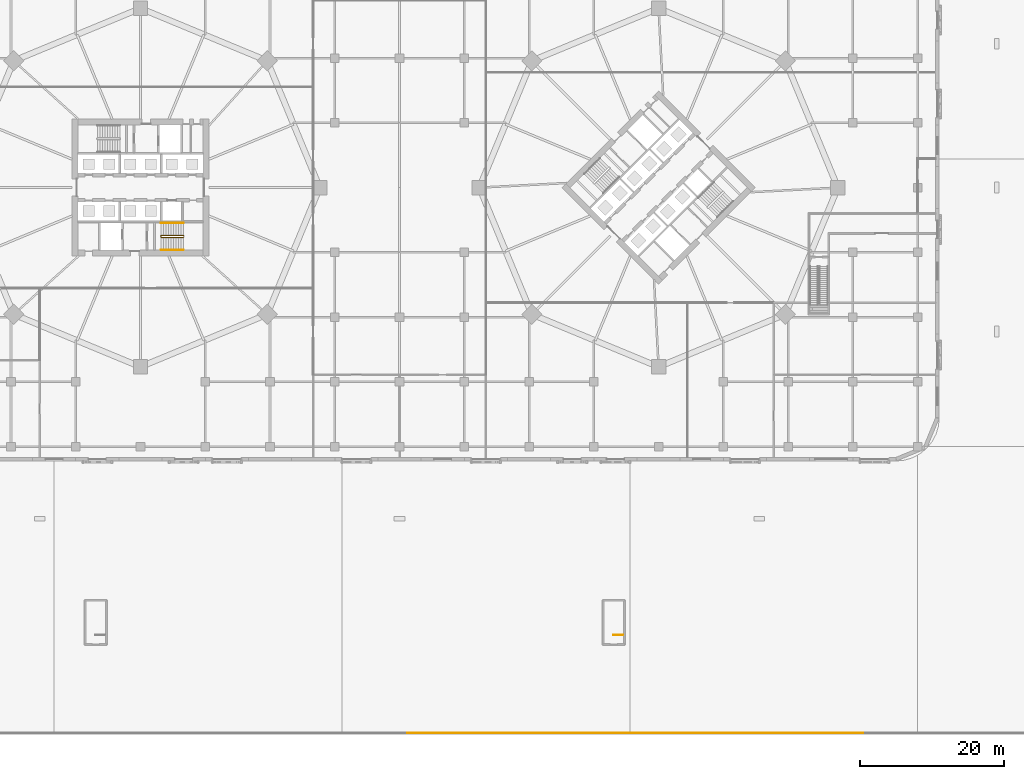
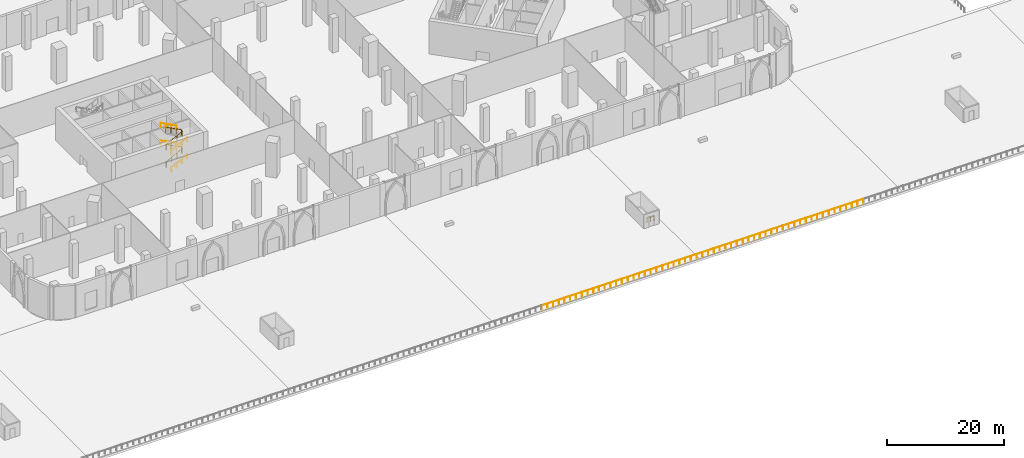
# One storey, part 39 of 48: 14 railings.
"""IFC4 building model written with IfcOpenShell, lengths in metres."""

from ifc_helpers import new_model, si_unit, direction, frame, origin, origin_2d, place, context, subcontext, project, spatial, circle, extrude, material, type_object, element, save


model = new_model("IFC4")

# Units and contexts
model_context = context("Model", 3, precision=1e-05, world=origin(), true_north=direction((0.0, 1.0)))
body_context = subcontext(model_context, "Body", "Model", "MODEL_VIEW")
ifc_project = project(units=[si_unit("LENGTHUNIT", "METRE"), si_unit("AREAUNIT", "SQUARE_METRE"), si_unit("VOLUMEUNIT", "CUBIC_METRE"), si_unit("PLANEANGLEUNIT", "RADIAN"), si_unit("MASSUNIT", "GRAM", prefix="KILO")], contexts=[model_context])

# Site, building, storey
site_placement = place(None, origin())
site = spatial("IfcSite", under=ifc_project, at=site_placement, CompositionType="ELEMENT")
building_placement = place(site_placement, origin())
building = spatial("IfcBuilding", under=site, at=building_placement, Name="Ogive Gate Towers", CompositionType="ELEMENT")
storey_placement = place(building_placement, origin())
storey = spatial("IfcBuildingStorey", under=building, at=storey_placement, Name="L00", CompositionType="ELEMENT", Elevation=0.0)

# Railings
ifc_material_1 = material(Name="Painted steel", Category="steel")
railing_type_1 = type_object("IfcRailingType", Name="Car park stair guard 1100", PredefinedType="GUARDRAIL", material=ifc_material_1)
railing_1_placement = place(storey_placement, frame((31.050048828125, -62.14990234375, 0.0)))
element("IfcRailing", 1, at=railing_1_placement, inside=storey, type_object=railing_type_1, Name="L00 CS7 top well guard 1", PredefinedType="GUARDRAIL", context=body_context, shape_type="SweptSolid", body=[
    extrude(circle(Radius=0.02392578125, at=origin_2d()), frame((0.0, 0.0, 1.076171875), z_axis=(-1.0, 0.0, 0.0), x_axis=(0.0, -1.0, 0.0)), (0.0, 0.0, 1.0), 1.35009765625),
    extrude(circle(Radius=0.02099609375, at=origin_2d()), origin(), (0.0, 0.0, 1.0), 1.052001953125),
    extrude(circle(Radius=0.02099609375, at=origin_2d()), frame((-0.675048828125, 0.0, 0.0)), (0.0, 0.0, 1.0), 1.052001953125),
    extrude(circle(Radius=0.02099609375, at=origin_2d()), frame((-1.35009765625, 0.0, 0.0)), (0.0, 0.0, 1.0), 1.052001953125),
])
ifc_material_2 = material(Name="Stainless steel", Category="steel")
railing_type_2 = type_object("IfcRailingType", Name="Guard 1100", PredefinedType="GUARDRAIL", material=ifc_material_2)
for number, where, name in (
    (2, (1.05908203125, -75.800048828125, 0.0), "Garden deck guard"),
    (3, (8.988525390625, -75.800048828125, 0.0), "Garden deck guard"),
    (4, (16.91796875, -75.800048828125, 0.0), "Garden deck guard"),
    (5, (24.847412109375, -75.800048828125, 0.0), "Garden deck guard"),
    (6, (32.776611328125, -75.800048828125, 0.0), "Garden deck guard"),
    (7, (40.7060546875, -75.800048828125, 0.0), "Garden deck guard"),
    (8, (48.635498046875, -75.800048828125, 0.0), "Garden deck guard"),
    (9, (56.564697265625, -75.800048828125, 0.0), "Garden deck guard"),
):
    element("IfcRailing", number, at=place(storey_placement, frame(where)), inside=storey, type_object=railing_type_2, Name=name, PredefinedType="GUARDRAIL", context=body_context, shape_type="SweptSolid", body=[
        extrude(circle(Radius=0.02392578125, at=origin_2d()), frame((0.0, 0.0, 1.076171875), z_axis=(1.0, 0.0, 0.0), x_axis=(0.0, 1.0, 0.0)), (0.0, 0.0, 1.0), 7.87939453125),
        extrude(circle(Radius=0.02099609375, at=origin_2d()), origin(), (0.0, 0.0, 1.0), 1.052001953125),
        extrude(circle(Radius=0.02099609375, at=origin_2d()), frame((1.125732421875, 0.0, 0.0)), (0.0, 0.0, 1.0), 1.052001953125),
        extrude(circle(Radius=0.02099609375, at=origin_2d()), frame((2.251220703125, 0.0, 0.0)), (0.0, 0.0, 1.0), 1.052001953125),
        extrude(circle(Radius=0.02099609375, at=origin_2d()), frame((3.376953125, 0.0, 0.0)), (0.0, 0.0, 1.0), 1.052001953125),
        extrude(circle(Radius=0.02099609375, at=origin_2d()), frame((4.50244140625, 0.0, 0.0)), (0.0, 0.0, 1.0), 1.052001953125),
        extrude(circle(Radius=0.02099609375, at=origin_2d()), frame((5.628173828125, 0.0, 0.0)), (0.0, 0.0, 1.0), 1.052001953125),
        extrude(circle(Radius=0.02099609375, at=origin_2d()), frame((6.753662109375, 0.0, 0.0)), (0.0, 0.0, 1.0), 1.052001953125),
        extrude(circle(Radius=0.02099609375, at=origin_2d()), frame((7.87939453125, 0.0, 0.0)), (0.0, 0.0, 1.0), 1.052001953125),
    ])
railing_type_3 = type_object("IfcRailingType", Name="Stair guard 1100", PredefinedType="GUARDRAIL", material=ifc_material_2)
railing_2_placement = place(storey_placement, frame((-33.18505859375, -6.860107421875, 0.0)))
element("IfcRailing", 10, at=railing_2_placement, inside=storey, type_object=railing_type_3, Name="L00 ST2 stair guard 1", PredefinedType="GUARDRAIL", context=body_context, shape_type="SweptSolid", body=[
    extrude(circle(Radius=0.02392578125, at=origin_2d()), frame((0.0, 0.0, 1.076171875), z_axis=(0.0, 1.0, 0.0), x_axis=(-1.0, 0.0, 0.0)), (0.0, 0.0, 1.0), 0.14501953125),
    extrude(circle(Radius=0.02392578125, at=origin_2d()), frame((0.0, 0.14501953125, 1.076171875), z_axis=(0.185446488196, -0.721884378442, 0.666702740491), x_axis=(0.968551454522, 0.24881334358, 0.0)), (0.0, 0.0, 1.0), 0.269775390625),
    extrude(circle(Radius=0.02392578125, at=origin_2d()), frame((0.050048828125, -0.0498046875, 1.255859375), z_axis=(0.886569930074, 0.0, 0.462594594746), x_axis=(0.0, 1.0, 0.0)), (0.0, 0.0, 1.0), 3.502197265625),
    extrude(circle(Radius=0.02392578125, at=origin_2d()), frame((3.155029296875, -0.0498046875, 2.8759765625), z_axis=(0.708833529934, 0.705375805398, 0.0), x_axis=(-0.705375805398, 0.708833529934, 0.0)), (0.0, 0.0, 1.0), 0.070556640625),
    extrude(circle(Radius=0.02392578125, at=origin_2d()), frame((3.205078125, 0.0, 2.8759765625), z_axis=(0.0, 1.0, 0.0), x_axis=(-1.0, 0.0, 0.0)), (0.0, 0.0, 1.0), 0.14501953125),
    extrude(circle(Radius=0.02392578125, at=origin_2d()), frame((3.205078125, 0.14501953125, 2.8759765625), z_axis=(-0.258847668887, 0.258847668887, 0.930588936439), x_axis=(-0.707106781187, -0.707106781187, 0.0)), (0.0, 0.0, 1.0), 0.193359375),
    extrude(circle(Radius=0.02392578125, at=origin_2d()), frame((3.155029296875, 0.195068359375, 3.05615234375), z_axis=(-0.886569930074, 0.0, 0.462594594746), x_axis=(0.0, -1.0, 0.0)), (0.0, 0.0, 1.0), 3.502197265625),
    extrude(circle(Radius=0.02392578125, at=origin_2d()), frame((0.050048828125, 0.195068359375, 4.67626953125), z_axis=(-0.248521182245, -0.96862646153, 0.0), x_axis=(0.96862646153, -0.248521182245, 0.0)), (0.0, 0.0, 1.0), 0.201416015625),
    extrude(circle(Radius=0.02392578125, at=origin_2d()), frame((0.0, 0.0, 4.67626953125), z_axis=(0.0, 1.0, 0.0), x_axis=(-1.0, 0.0, 0.0)), (0.0, 0.0, 1.0), 0.14501953125),
    extrude(circle(Radius=0.02392578125, at=origin_2d()), frame((0.0, 0.14501953125, 4.67626953125), z_axis=(0.185446488196, -0.721884378442, 0.666702740491), x_axis=(0.968551454522, 0.24881334358, 0.0)), (0.0, 0.0, 1.0), 0.269775390625),
    extrude(circle(Radius=0.02392578125, at=origin_2d()), frame((0.050048828125, -0.0498046875, 4.85595703125), z_axis=(0.88659851888, 0.0, 0.462539799714), x_axis=(0.0, 1.0, 0.0)), (0.0, 0.0, 1.0), 3.502197265625),
    extrude(circle(Radius=0.02392578125, at=origin_2d()), frame((3.155029296875, -0.0498046875, 6.47607421875), z_axis=(0.708833529934, 0.705375805398, 0.0), x_axis=(-0.705375805398, 0.708833529934, 0.0)), (0.0, 0.0, 1.0), 0.070556640625),
    extrude(circle(Radius=0.02392578125, at=origin_2d()), frame((3.205078125, 0.0, 6.47607421875), z_axis=(0.0, 1.0, 0.0), x_axis=(-1.0, 0.0, 0.0)), (0.0, 0.0, 1.0), 0.14501953125),
    extrude(circle(Radius=0.02392578125, at=origin_2d()), frame((3.205078125, 0.14501953125, 6.47607421875), z_axis=(-0.258543844998, 0.258543844998, 0.930757841991), x_axis=(-0.707106781187, -0.707106781187, 0.0)), (0.0, 0.0, 1.0), 0.193603515625),
    extrude(circle(Radius=0.02392578125, at=origin_2d()), frame((3.155029296875, 0.195068359375, 6.65625), z_axis=(-0.88659851888, 0.0, 0.462539799714), x_axis=(0.0, -1.0, 0.0)), (0.0, 0.0, 1.0), 3.502197265625),
    extrude(circle(Radius=0.02099609375, at=origin_2d()), origin(), (0.0, 0.0, 1.0), 1.052001953125),
    extrude(circle(Radius=0.02099609375, at=origin_2d()), frame((0.0, 0.14501953125, 0.0)), (0.0, 0.0, 1.0), 1.052001953125),
    extrude(circle(Radius=0.02099609375, at=origin_2d()), frame((0.050048828125, -0.0498046875, 0.179931640625)), (0.0, 0.0, 1.0), 1.052001953125),
    extrude(circle(Radius=0.02099609375, at=origin_2d()), frame((1.0849609375, -0.0498046875, 0.719970703125)), (0.0, 0.0, 1.0), 1.052001953125),
    extrude(circle(Radius=0.02099609375, at=origin_2d()), frame((2.1201171875, -0.0498046875, 1.260009765625)), (0.0, 0.0, 1.0), 1.052001953125),
    extrude(circle(Radius=0.02099609375, at=origin_2d()), frame((3.155029296875, -0.0498046875, 1.800048828125)), (0.0, 0.0, 1.0), 1.052001953125),
    extrude(circle(Radius=0.02099609375, at=origin_2d()), frame((3.205078125, 0.0, 1.800048828125)), (0.0, 0.0, 1.0), 1.052001953125),
    extrude(circle(Radius=0.02099609375, at=origin_2d()), frame((3.205078125, 0.14501953125, 1.800048828125)), (0.0, 0.0, 1.0), 1.052001953125),
    extrude(circle(Radius=0.02099609375, at=origin_2d()), frame((3.155029296875, 0.195068359375, 1.97998046875)), (0.0, 0.0, 1.0), 1.052001953125),
    extrude(circle(Radius=0.02099609375, at=origin_2d()), frame((2.1201171875, 0.195068359375, 2.52001953125)), (0.0, 0.0, 1.0), 1.052001953125),
    extrude(circle(Radius=0.02099609375, at=origin_2d()), frame((1.0849609375, 0.195068359375, 3.06005859375)), (0.0, 0.0, 1.0), 1.052001953125),
    extrude(circle(Radius=0.02099609375, at=origin_2d()), frame((0.050048828125, 0.195068359375, 3.60009765625)), (0.0, 0.0, 1.0), 1.052001953125),
    extrude(circle(Radius=0.02099609375, at=origin_2d()), frame((0.0, 0.0, 3.60009765625)), (0.0, 0.0, 1.0), 1.052001953125),
    extrude(circle(Radius=0.02099609375, at=origin_2d()), frame((0.0, 0.14501953125, 3.60009765625)), (0.0, 0.0, 1.0), 1.052001953125),
    extrude(circle(Radius=0.02099609375, at=origin_2d()), frame((0.050048828125, -0.0498046875, 3.780029296875)), (0.0, 0.0, 1.0), 1.052001953125),
    extrude(circle(Radius=0.02099609375, at=origin_2d()), frame((1.0849609375, -0.0498046875, 4.320068359375)), (0.0, 0.0, 1.0), 1.052001953125),
    extrude(circle(Radius=0.02099609375, at=origin_2d()), frame((2.1201171875, -0.0498046875, 4.85986328125)), (0.0, 0.0, 1.0), 1.052001953125),
    extrude(circle(Radius=0.02099609375, at=origin_2d()), frame((3.155029296875, -0.0498046875, 5.39990234375)), (0.0, 0.0, 1.0), 1.052001953125),
    extrude(circle(Radius=0.02099609375, at=origin_2d()), frame((3.205078125, 0.0, 5.39990234375)), (0.0, 0.0, 1.0), 1.052001953125),
    extrude(circle(Radius=0.02099609375, at=origin_2d()), frame((3.205078125, 0.14501953125, 5.39990234375)), (0.0, 0.0, 1.0), 1.052001953125),
    extrude(circle(Radius=0.02099609375, at=origin_2d()), frame((3.155029296875, 0.195068359375, 5.580078125)), (0.0, 0.0, 1.0), 1.052001953125),
    extrude(circle(Radius=0.02099609375, at=origin_2d()), frame((2.1201171875, 0.195068359375, 6.1201171875)), (0.0, 0.0, 1.0), 1.052001953125),
    extrude(circle(Radius=0.02099609375, at=origin_2d()), frame((1.0849609375, 0.195068359375, 6.659912109375)), (0.0, 0.0, 1.0), 1.052001953125),
    extrude(circle(Radius=0.02099609375, at=origin_2d()), frame((0.050048828125, 0.195068359375, 7.199951171875)), (0.0, 0.0, 1.0), 1.052001953125),
])
railing_type_4 = type_object("IfcRailingType", Name="Stair handrail 900", PredefinedType="HANDRAIL", material=ifc_material_2)
railing_3_placement = place(storey_placement, frame((-33.135009765625, -8.64990234375, 0.179931640625)))
element("IfcRailing", 11, at=railing_3_placement, inside=storey, type_object=railing_type_4, Name="L00 ST2 stair handrail 1", PredefinedType="HANDRAIL", context=body_context, shape_type="SweptSolid", body=[
    extrude(circle(Radius=0.02392578125, at=origin_2d()), frame((0.0, 0.0, 0.8759765625), z_axis=(0.886569930074, 0.0, 0.462594594746), x_axis=(0.0, 1.0, 0.0)), (0.0, 0.0, 1.0), 3.502197265625),
    extrude(circle(Radius=0.02099609375, at=origin_2d()), origin(), (0.0, 0.0, 1.0), 0.851806640625),
    extrude(circle(Radius=0.02099609375, at=origin_2d()), frame((1.034912109375, 0.0, 0.5400390625)), (0.0, 0.0, 1.0), 0.851806640625),
    extrude(circle(Radius=0.02099609375, at=origin_2d()), frame((2.070068359375, 0.0, 1.080078125)), (0.0, 0.0, 1.0), 0.851806640625),
    extrude(circle(Radius=0.02099609375, at=origin_2d()), frame((3.10498046875, 0.0, 1.6201171875)), (0.0, 0.0, 1.0), 0.851806640625),
])
railing_4_placement = place(storey_placement, frame((-30.030029296875, -4.925048828125, 1.97998046875)))
element("IfcRailing", 12, at=railing_4_placement, inside=storey, type_object=railing_type_4, Name="L00 ST2 stair handrail 2", PredefinedType="HANDRAIL", context=body_context, shape_type="SweptSolid", body=[
    extrude(circle(Radius=0.02392578125, at=origin_2d()), frame((0.0, 0.0, 0.8759765625), z_axis=(-0.886569930074, 0.0, 0.462594594746), x_axis=(0.0, -1.0, 0.0)), (0.0, 0.0, 1.0), 3.502197265625),
    extrude(circle(Radius=0.02099609375, at=origin_2d()), origin(), (0.0, 0.0, 1.0), 0.851806640625),
    extrude(circle(Radius=0.02099609375, at=origin_2d()), frame((-1.034912109375, 0.0, 0.5400390625)), (0.0, 0.0, 1.0), 0.851806640625),
    extrude(circle(Radius=0.02099609375, at=origin_2d()), frame((-2.070068359375, 0.0, 1.080078125)), (0.0, 0.0, 1.0), 0.851806640625),
    extrude(circle(Radius=0.02099609375, at=origin_2d()), frame((-3.10498046875, 0.0, 1.6201171875)), (0.0, 0.0, 1.0), 0.851806640625),
])
railing_5_placement = place(storey_placement, frame((-33.135009765625, -8.64990234375, 3.780029296875)))
element("IfcRailing", 13, at=railing_5_placement, inside=storey, type_object=railing_type_4, Name="L00 ST2 stair handrail 3", PredefinedType="HANDRAIL", context=body_context, shape_type="SweptSolid", body=[
    extrude(circle(Radius=0.02392578125, at=origin_2d()), frame((0.0, 0.0, 0.8759765625), z_axis=(0.88659851888, 0.0, 0.462539799714), x_axis=(0.0, 1.0, 0.0)), (0.0, 0.0, 1.0), 3.502197265625),
    extrude(circle(Radius=0.02099609375, at=origin_2d()), origin(), (0.0, 0.0, 1.0), 0.851806640625),
    extrude(circle(Radius=0.02099609375, at=origin_2d()), frame((1.034912109375, 0.0, 0.5400390625)), (0.0, 0.0, 1.0), 0.851806640625),
    extrude(circle(Radius=0.02099609375, at=origin_2d()), frame((2.070068359375, 0.0, 1.079833984375)), (0.0, 0.0, 1.0), 0.851806640625),
    extrude(circle(Radius=0.02099609375, at=origin_2d()), frame((3.10498046875, 0.0, 1.619873046875)), (0.0, 0.0, 1.0), 0.851806640625),
])
railing_6_placement = place(storey_placement, frame((-30.030029296875, -4.925048828125, 5.580078125)))
element("IfcRailing", 14, at=railing_6_placement, inside=storey, type_object=railing_type_4, Name="L00 ST2 stair handrail 4", PredefinedType="HANDRAIL", context=body_context, shape_type="SweptSolid", body=[
    extrude(circle(Radius=0.02392578125, at=origin_2d()), frame((0.0, 0.0, 0.8759765625), z_axis=(-0.88659851888, 0.0, 0.462539799714), x_axis=(0.0, -1.0, 0.0)), (0.0, 0.0, 1.0), 3.502197265625),
    extrude(circle(Radius=0.02099609375, at=origin_2d()), origin(), (0.0, 0.0, 1.0), 0.851806640625),
    extrude(circle(Radius=0.02099609375, at=origin_2d()), frame((-1.034912109375, 0.0, 0.5400390625)), (0.0, 0.0, 1.0), 0.851806640625),
    extrude(circle(Radius=0.02099609375, at=origin_2d()), frame((-2.070068359375, 0.0, 1.079833984375)), (0.0, 0.0, 1.0), 0.851806640625),
    extrude(circle(Radius=0.02099609375, at=origin_2d()), frame((-3.10498046875, 0.0, 1.619873046875)), (0.0, 0.0, 1.0), 0.851806640625),
])

save(model, "model.ifc")
